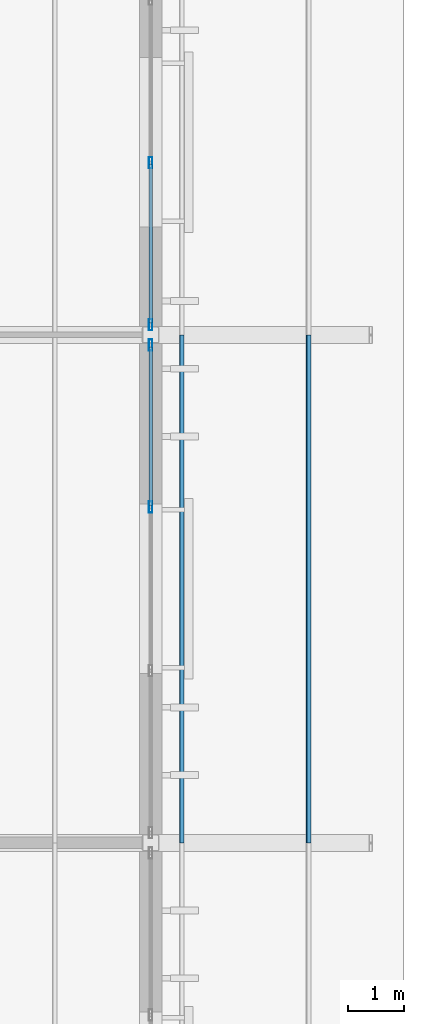
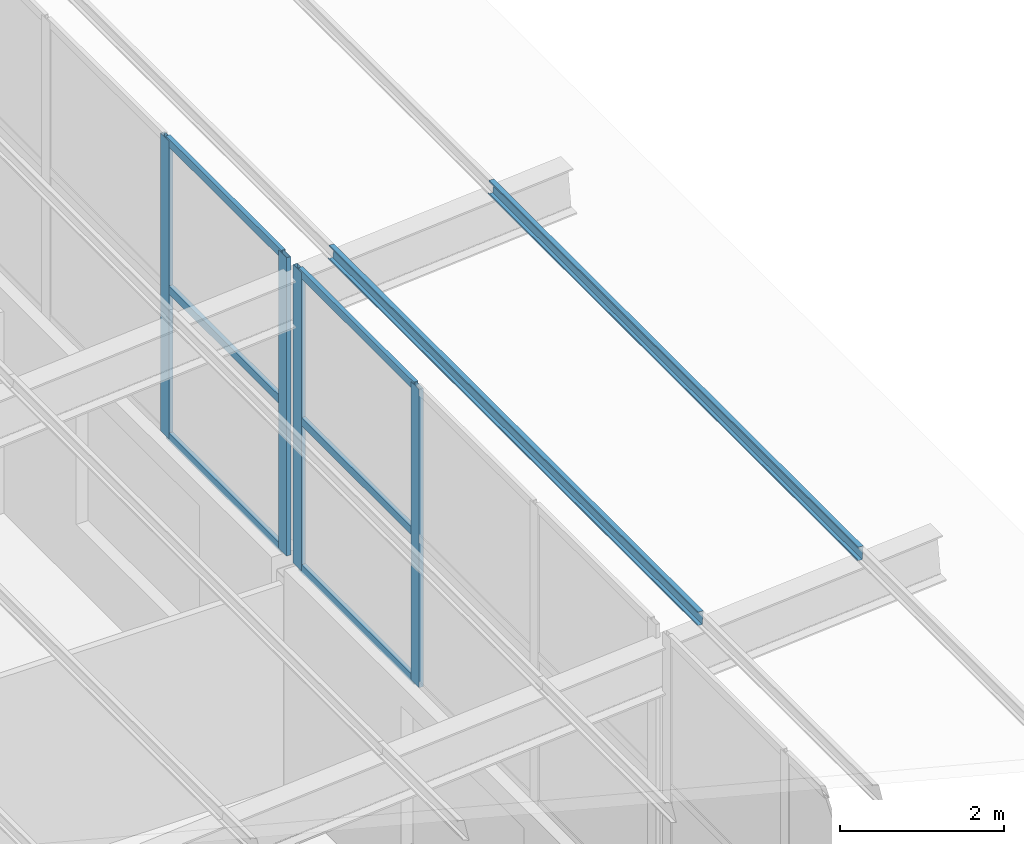
# One storey, part 60 of 85: 12 members, 2 elements without a shape of their own.
"""IFC4 building model written with IfcOpenShell, lengths in metres."""

from ifc_helpers import new_model, si_unit, direction, frame, origin, origin_2d, place, context, subcontext, project, spatial, polyline, hollow_rectangle, outline, extrude, material, layer, layer_set, material_profile, profile_set, type_object, element, aggregate, save


model = new_model("IFC4")

# Units and contexts
model_context = context("Model", 3, precision=1e-05, world=origin(), true_north=direction((0.0, 1.0)))
body_context = subcontext(model_context, "Body", "Model", "MODEL_VIEW")
ifc_project = project(units=[si_unit("LENGTHUNIT", "METRE"), si_unit("AREAUNIT", "SQUARE_METRE"), si_unit("VOLUMEUNIT", "CUBIC_METRE"), si_unit("PLANEANGLEUNIT", "RADIAN"), si_unit("MASSUNIT", "GRAM", prefix="KILO")], contexts=[model_context])

# Site, building, storey
site_placement = place(None, origin())
site = spatial("IfcSite", under=ifc_project, at=site_placement, CompositionType="ELEMENT")
building_placement = place(site_placement, origin())
building = spatial("IfcBuilding", under=site, at=building_placement, Name="Opaline Strait Convention Centre", CompositionType="ELEMENT")
storey_placement = place(building_placement, frame((0.0, 0.0, 17.0)))
storey = spatial("IfcBuildingStorey", under=building, at=storey_placement, Name="L03", CompositionType="ELEMENT", Elevation=17.0)

# Curtain wall, members
ifc_material_1 = material(Name="Aluminium framed double glazing", Category="aluminium")
ifc_layer = layer(ifc_material_1, 0.199951171875)
ifc_layer_set = layer_set([ifc_layer], Name="Aluminium framed double glazing")
curtain_wall_type = type_object("IfcCurtainWallType", Name="Curtain wall 3000 module unitised", PredefinedType="NOTDEFINED", material=ifc_layer_set)
curtain_wall_1_placement = place(storey_placement, origin())
curtain_wall_1 = element("IfcCurtainWall", 1, at=curtain_wall_1_placement, inside=storey, type_object=curtain_wall_type, Name="Clerestory curtain wall E L03 41/T", PredefinedType="NOTDEFINED")
ifc_material_2 = material(Name="Aluminium alloy 6063", Category="aluminium")
ifc_material_profile_1 = material_profile(ifc_material_2, hollow_rectangle(XDim=0.06005859375, YDim=0.199951171875, WallThickness=0.00390625, at=origin_2d()), Name="MULLION 60x200x4")
ifc_profile_set_1 = profile_set([ifc_material_profile_1], Name="Aluminium alloy 6063")
member_type_1 = type_object("IfcMemberType", Name="Curtain wall mullion 60 x 200", PredefinedType="MULLION", material=ifc_profile_set_1)
member_1_placement = place(storey_placement, frame((360.0, 158.949951171875, 3.300048828125), z_axis=(0.0, 0.0, 1.0), x_axis=(-1.0, 0.0, 0.0)))
member_1 = element("IfcMember", 2, at=member_1_placement, type_object=member_type_1, Name="MCWR1 mullion 3", PredefinedType="MULLION", context=body_context, shape_type="SweptSolid", body=[
    extrude(hollow_rectangle(XDim=0.06005859375, YDim=0.199951171875, WallThickness=0.00390625, at=origin_2d()), origin(), (0.0, 0.0, 1.0), 4.43603515625),
])
member_2_placement = place(storey_placement, frame((360.0, 161.820068359375, 3.300048828125), z_axis=(0.0, 0.0, 1.0), x_axis=(-1.0, 0.0, 0.0)))
member_2 = element("IfcMember", 3, at=member_2_placement, type_object=member_type_1, Name="MCWR1 mullion 4", PredefinedType="MULLION", context=body_context, shape_type="SweptSolid", body=[
    extrude(hollow_rectangle(XDim=0.06005859375, YDim=0.199951171875, WallThickness=0.00390625, at=origin_2d()), origin(), (0.0, 0.0, 1.0), 4.43603515625),
])

curtain_wall_2_placement = place(storey_placement, origin())
curtain_wall_2 = element("IfcCurtainWall", 4, at=curtain_wall_2_placement, inside=storey, type_object=curtain_wall_type, Name="Clerestory curtain wall E L03 41/U", PredefinedType="NOTDEFINED")
member_3_placement = place(storey_placement, frame((360.0, 162.179931640625, 3.300048828125), z_axis=(0.0, 0.0, 1.0), x_axis=(-1.0, 0.0, 0.0)))
member_3 = element("IfcMember", 5, at=member_3_placement, type_object=member_type_1, Name="MCWR1 mullion 1", PredefinedType="MULLION", context=body_context, shape_type="SweptSolid", body=[
    extrude(hollow_rectangle(XDim=0.06005859375, YDim=0.199951171875, WallThickness=0.00390625, at=origin_2d()), origin(), (0.0, 0.0, 1.0), 4.43603515625),
])
member_4_placement = place(storey_placement, frame((360.0, 165.050048828125, 3.300048828125), z_axis=(0.0, 0.0, 1.0), x_axis=(-1.0, 0.0, 0.0)))
member_4 = element("IfcMember", 6, at=member_4_placement, type_object=member_type_1, Name="MCWR1 mullion 2", PredefinedType="MULLION", context=body_context, shape_type="SweptSolid", body=[
    extrude(hollow_rectangle(XDim=0.06005859375, YDim=0.199951171875, WallThickness=0.00390625, at=origin_2d()), origin(), (0.0, 0.0, 1.0), 4.43603515625),
])

# Member
ifc_material_profile_2 = material_profile(ifc_material_2, hollow_rectangle(XDim=0.06005859375, YDim=0.1201171875, WallThickness=0.0029296875, at=origin_2d()), Name="TRANSOM 60x120x3")
ifc_profile_set_2 = profile_set([ifc_material_profile_2], Name="Aluminium alloy 6063")
member_type_2 = type_object("IfcMemberType", Name="Curtain wall transom 60 x 120", PredefinedType="USERDEFINED", material=ifc_profile_set_2)
member_5_placement = place(storey_placement, frame((360.0, 158.97998046875, 3.330078125), z_axis=(0.0, 1.0, 0.0), x_axis=(-1.0, 0.0, 0.0)))
member_5 = element("IfcMember", 7, at=member_5_placement, type_object=member_type_2, Name="MCWR1 transom 3.1", ObjectType="TRANSOM", PredefinedType="USERDEFINED", context=body_context, shape_type="SweptSolid", body=[
    extrude(hollow_rectangle(XDim=0.06005859375, YDim=0.1201171875, WallThickness=0.0029296875, at=origin_2d()), origin(), (0.0, 0.0, 1.0), 2.81005859375),
])

member_6_placement = place(storey_placement, frame((360.0, 158.97998046875, 5.51806640625), z_axis=(0.0, 1.0, 0.0), x_axis=(-1.0, 0.0, 0.0)))
member_6 = element("IfcMember", 8, at=member_6_placement, type_object=member_type_2, Name="MCWR1 transom 3.2", ObjectType="TRANSOM", PredefinedType="USERDEFINED", context=body_context, shape_type="SweptSolid", body=[
    extrude(hollow_rectangle(XDim=0.06005859375, YDim=0.1201171875, WallThickness=0.0029296875, at=origin_2d()), origin(), (0.0, 0.0, 1.0), 2.81005859375),
])

member_7_placement = place(storey_placement, frame((360.0, 158.97998046875, 7.7060546875), z_axis=(0.0, 1.0, 0.0), x_axis=(-1.0, 0.0, 0.0)))
member_7 = element("IfcMember", 9, at=member_7_placement, type_object=member_type_2, Name="MCWR1 transom 3.3", ObjectType="TRANSOM", PredefinedType="USERDEFINED", context=body_context, shape_type="SweptSolid", body=[
    extrude(hollow_rectangle(XDim=0.06005859375, YDim=0.1201171875, WallThickness=0.0029296875, at=origin_2d()), origin(), (0.0, 0.0, 1.0), 2.81005859375),
])

aggregate(curtain_wall_1, [member_1, member_2, member_5, member_6, member_7])

member_8_placement = place(storey_placement, frame((360.0, 162.2099609375, 3.330078125), z_axis=(0.0, 1.0, 0.0), x_axis=(-1.0, 0.0, 0.0)))
member_8 = element("IfcMember", 10, at=member_8_placement, type_object=member_type_2, Name="MCWR1 transom 1.1", ObjectType="TRANSOM", PredefinedType="USERDEFINED", context=body_context, shape_type="SweptSolid", body=[
    extrude(hollow_rectangle(XDim=0.06005859375, YDim=0.1201171875, WallThickness=0.0029296875, at=origin_2d()), origin(), (0.0, 0.0, 1.0), 2.81005859375),
])

member_9_placement = place(storey_placement, frame((360.0, 162.2099609375, 5.51806640625), z_axis=(0.0, 1.0, 0.0), x_axis=(-1.0, 0.0, 0.0)))
member_9 = element("IfcMember", 11, at=member_9_placement, type_object=member_type_2, Name="MCWR1 transom 1.2", ObjectType="TRANSOM", PredefinedType="USERDEFINED", context=body_context, shape_type="SweptSolid", body=[
    extrude(hollow_rectangle(XDim=0.06005859375, YDim=0.1201171875, WallThickness=0.0029296875, at=origin_2d()), origin(), (0.0, 0.0, 1.0), 2.81005859375),
])

member_10_placement = place(storey_placement, frame((360.0, 162.2099609375, 7.7060546875), z_axis=(0.0, 1.0, 0.0), x_axis=(-1.0, 0.0, 0.0)))
member_10 = element("IfcMember", 12, at=member_10_placement, type_object=member_type_2, Name="MCWR1 transom 1.3", ObjectType="TRANSOM", PredefinedType="USERDEFINED", context=body_context, shape_type="SweptSolid", body=[
    extrude(hollow_rectangle(XDim=0.06005859375, YDim=0.1201171875, WallThickness=0.0029296875, at=origin_2d()), origin(), (0.0, 0.0, 1.0), 2.81005859375),
])

aggregate(curtain_wall_2, [member_3, member_4, member_8, member_9, member_10])

# Members
ifc_material_3 = material(Name="Steel Q355B", Category="steel")
ifc_material_profile_3 = material_profile(ifc_material_3, outline(polyline([(-0.034912109375, -0.10009765625), (0.034912109375, -0.10009765625), (0.034912109375, -0.080078125), (0.032470703125, -0.080078125), (0.032470703125, -0.097412109375), (-0.032470703125, -0.097412109375), (-0.032470703125, 0.097412109375), (0.032470703125, 0.097412109375), (0.032470703125, 0.080078125), (0.034912109375, 0.080078125), (0.034912109375, 0.10009765625), (-0.034912109375, 0.10009765625), (-0.034912109375, -0.10009765625)])), Name="C 200x70x20x2.5")
ifc_profile_set_3 = profile_set([ifc_material_profile_3], Name="Steel Q355B")
member_type_3 = type_object("IfcMemberType", Name="Roof purlin C 200x70x20x2.5", PredefinedType="PURLIN", material=ifc_profile_set_3)
for number, where, z_axis, x_axis, name in (
    (13, (360.550048828125, 153.0, 7.678955078125), (0.0, 1.0, 0.0), (-0.996917333733, 0.0, 0.078459095728), "MRP1 purlin E wing 388"),
    (14, (362.800048828125, 153.0, 7.856201171875), (0.0, 1.0, 0.0), (-0.996917333733, 0.0, 0.078459095728), "MRP1 purlin E wing 398"),
):
    element("IfcMember", number, at=place(storey_placement, frame(where, z_axis=z_axis, x_axis=x_axis)), inside=storey, type_object=member_type_3, Name=name, PredefinedType="PURLIN", context=body_context, shape_type="SweptSolid", body=[
        extrude(outline(polyline([(-0.034912109375, -0.10009765625), (0.034912109375, -0.10009765625), (0.034912109375, -0.080078125), (0.032470703125, -0.080078125), (0.032470703125, -0.097412109375), (-0.032470703125, -0.097412109375), (-0.032470703125, 0.097412109375), (0.032470703125, 0.097412109375), (0.032470703125, 0.080078125), (0.034912109375, 0.080078125), (0.034912109375, 0.10009765625), (-0.034912109375, 0.10009765625), (-0.034912109375, -0.10009765625)])), origin(), (0.0, 0.0, 1.0), 9.0),
    ])

save(model, "model.ifc")
